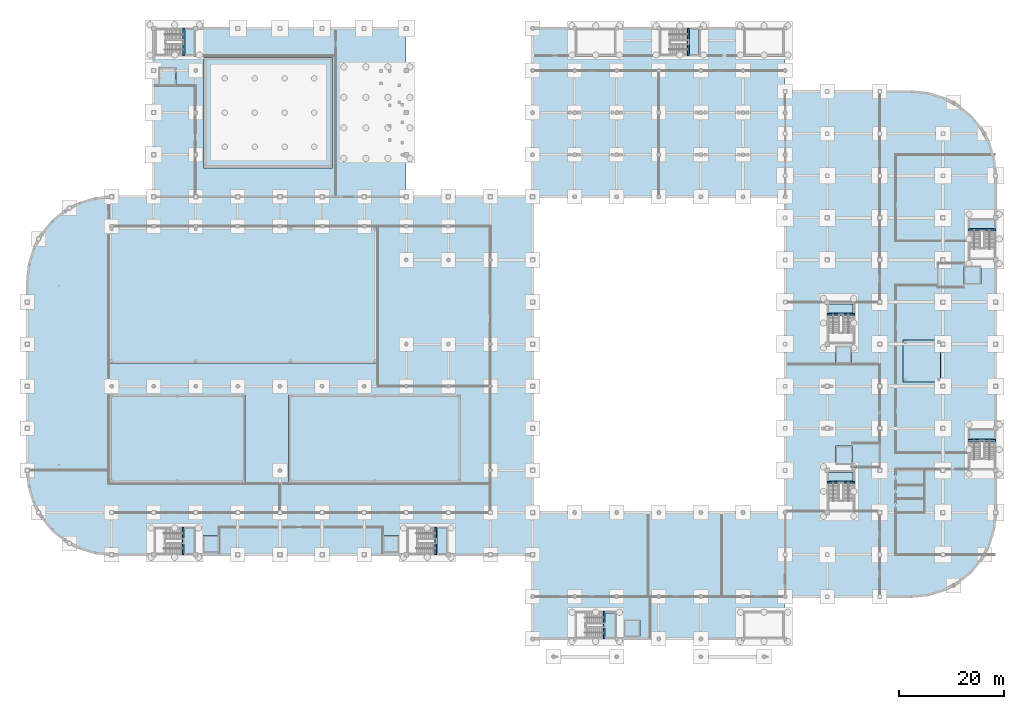
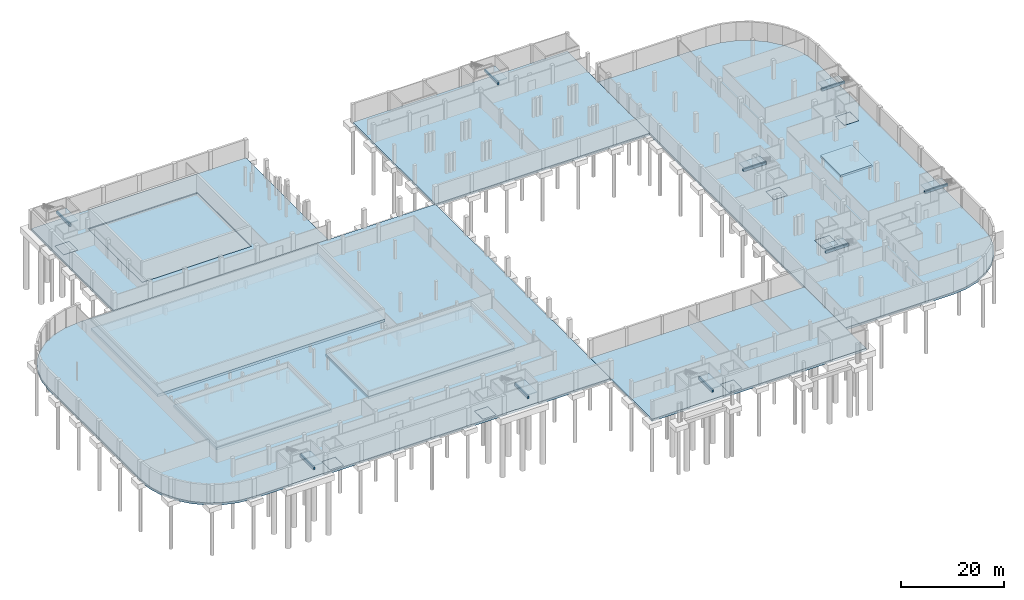
# One storey, part 17 of 29: 26 slabs, 9 beams, 9 elements without a shape of their own.
"""IFC4 building model written with IfcOpenShell, lengths in metres."""

from ifc_helpers import new_model, si_unit, direction, frame, origin, origin_2d, place, context, subcontext, project, spatial, polyline, rectangle, outline, extrude, material, layer, layer_set, material_profile, profile_set, type_object, element, aggregate, save


model = new_model("IFC4")

# Units and contexts
model_context = context("Model", 3, precision=1e-05, world=origin(), true_north=direction((0.0, 1.0)))
body_context = subcontext(model_context, "Body", "Model", "MODEL_VIEW")
ifc_project = project(units=[si_unit("LENGTHUNIT", "METRE"), si_unit("AREAUNIT", "SQUARE_METRE"), si_unit("VOLUMEUNIT", "CUBIC_METRE"), si_unit("PLANEANGLEUNIT", "RADIAN"), si_unit("MASSUNIT", "GRAM", prefix="KILO")], contexts=[model_context])

# Site, building, storey
site_placement = place(None, origin())
site = spatial("IfcSite", under=ifc_project, at=site_placement, CompositionType="ELEMENT")
building_placement = place(site_placement, origin())
building = spatial("IfcBuilding", under=site, at=building_placement, Name="Drelvana Railside Aquatics Centre", CompositionType="ELEMENT")
storey_placement = place(building_placement, frame((0.0, 0.0, -4.800048828125)))
storey = spatial("IfcBuildingStorey", under=building, at=storey_placement, Name="B1", CompositionType="ELEMENT", Elevation=-4.800048828125)

# Beams
ifc_material_1 = material(Name="Concrete C40/50", Category="concrete")
ifc_material_profile = material_profile(ifc_material_1, rectangle(XDim=0.35009765625, YDim=0.550048828125, at=origin_2d()), Name="RC 350x550")
ifc_profile_set = profile_set([ifc_material_profile], Name="Concrete C40/50")
beam_type = type_object("IfcBeamType", Name="STR-BM-BM-01-RC-350x550", PredefinedType="BEAM", material=ifc_profile_set)
for number, where, z_axis, x_axis, name in (
    (1, (29.590087890625, 16.0, 1.925048828125), (0.0, 1.0, 0.0), (-1.0, 0.0, 0.0), "Stair ST-01 B1 mid-landing beam"),
    (2, (77.590087890625, 16.0, 1.925048828125), (0.0, 1.0, 0.0), (-1.0, 0.0, 0.0), "Stair ST-02 B1 mid-landing beam"),
    (3, (29.739990234375, 110.800048828125, 1.925048828125), (0.0, 1.0, 0.0), (-1.0, 0.0, 0.0), "Stair ST-03 B1 mid-landing beam"),
    (4, (109.590087890625, 0.0, 1.925048828125), (0.0, 1.0, 0.0), (-1.0, 0.0, 0.0), "Stair ST-04 B1 mid-landing beam"),
    (5, (125.590087890625, 110.800048828125, 1.925048828125), (0.0, 1.0, 0.0), (-1.0, 0.0, 0.0), "Stair ST-05 B1 mid-landing beam"),
    (6, (152.0, 29.77001953125, 1.925048828125), (1.0, 0.0, 0.0), (0.0, 1.0, 0.0), "Stair ST-06 B1 mid-landing beam"),
    (7, (178.800048828125, 77.7099609375, 1.925048828125), (1.0, 0.0, 0.0), (0.0, 1.0, 0.0), "Stair ST-07 B1 mid-landing beam"),
    (8, (152.0, 61.7099609375, 1.925048828125), (1.0, 0.0, 0.0), (0.0, 1.0, 0.0), "Stair ST-08 B1 mid-landing beam"),
    (9, (178.800048828125, 37.7099609375, 1.925048828125), (1.0, 0.0, 0.0), (0.0, 1.0, 0.0), "Stair ST-09 B1 mid-landing beam"),
):
    element("IfcBeam", number, at=place(storey_placement, frame(where, z_axis=z_axis, x_axis=x_axis)), inside=storey, type_object=beam_type, Name=name, PredefinedType="BEAM", context=body_context, shape_type="SweptSolid", body=[
        extrude(rectangle(XDim=0.35009765625, YDim=0.550048828125, at=origin_2d()), origin(), (0.0, 0.0, 1.0), 5.199951171875),
    ])

# Slabs
ifc_material_2 = material(Name="Waterproof concrete C40/50", Category="concrete")
ifc_layer_1 = layer(ifc_material_2, 0.550048828125, Name="Waterproof concrete C40/50")
ifc_layer_set_1 = layer_set([ifc_layer_1], Name="Waterproof concrete C40/50")
slab_type_1 = type_object("IfcSlabType", Name="SL-B1-550", PredefinedType="BASESLAB", material=ifc_layer_set_1)
slab_1_placement = place(storey_placement, frame((0.0, 0.0, -0.550048828125)))
element("IfcSlab", 10, at=slab_1_placement, inside=storey, type_object=slab_type_1, Name="Pool Hall basement base slab", PredefinedType="BASESLAB", context=body_context, shape_type="SweptSolid", body=[
    extrude(outline(polyline([(0.0, 32.0), (0.307373046875, 28.878662109375), (1.218017578125, 25.876953125), (2.696533203125, 23.11083984375), (4.686279296875, 20.686279296875), (7.11083984375, 18.696533203125), (9.876953125, 17.218017578125), (12.878662109375, 16.307373046875), (16.0, 16.0), (96.0, 16.0), (96.0, 84.0), (16.0, 84.0), (12.878662109375, 83.692626953125), (9.876953125, 82.781982421875), (7.11083984375, 81.303466796875), (4.686279296875, 79.313720703125), (2.696533203125, 76.88916015625), (1.218017578125, 74.123046875), (0.307373046875, 71.121337890625), (0.0, 68.0), (0.0, 32.0)]), holes=[polyline([(33.39501953125, 16.39501953125), (36.405029296875, 16.39501953125), (36.405029296875, 19.60498046875), (33.39501953125, 19.60498046875), (33.39501953125, 16.39501953125)]), polyline([(67.594970703125, 16.39501953125), (70.60498046875, 16.39501953125), (70.60498046875, 19.60498046875), (67.594970703125, 19.60498046875), (67.594970703125, 16.39501953125)])]), origin(), (0.0, 0.0, 1.0), 0.550048828125),
])
slab_2_placement = place(storey_placement, frame((0.0, 0.0, -0.550048828125)))
element("IfcSlab", 11, at=slab_2_placement, inside=storey, type_object=slab_type_1, Name="Diving Hall basement slab", PredefinedType="BASESLAB", context=body_context, shape_type="SweptSolid", body=[
    extrude(outline(polyline([(24.0, 84.0), (72.0, 84.0), (72.0, 116.0), (24.0, 116.0), (24.0, 84.0)]), holes=[polyline([(33.5, 89.5), (58.0, 89.5), (58.0, 110.5), (33.5, 110.5), (33.5, 89.5)]), polyline([(24.9951171875, 105.195068359375), (28.205078125, 105.195068359375), (28.205078125, 108.60498046875), (24.9951171875, 108.60498046875), (24.9951171875, 105.195068359375)])]), origin(), (0.0, 0.0, 1.0), 0.550048828125),
])
slab_3_placement = place(storey_placement, frame((0.0, 0.0, -0.550048828125)))
element("IfcSlab", 12, at=slab_3_placement, inside=storey, type_object=slab_type_1, Name="Entrance Foyer basement slab", PredefinedType="BASESLAB", context=body_context, shape_type="SweptSolid", body=[
    extrude(outline(polyline([(96.0, 0.0), (144.0, 0.0), (144.0, 24.0), (96.0, 24.0), (96.0, 0.0)]), holes=[polyline([(113.39501953125, 0.39501953125), (116.405029296875, 0.39501953125), (116.405029296875, 3.60498046875), (113.39501953125, 3.60498046875), (113.39501953125, 0.39501953125)])]), origin(), (0.0, 0.0, 1.0), 0.550048828125),
])
slab_4_placement = place(storey_placement, frame((0.0, 0.0, -0.550048828125)))
element("IfcSlab", 13, at=slab_4_placement, inside=storey, type_object=slab_type_1, Name="Changing Pavilion basement slab", PredefinedType="BASESLAB", context=body_context, shape_type="SweptSolid", body=[
    extrude(outline(polyline([(96.0, 84.0), (144.0, 84.0), (144.0, 116.0), (96.0, 116.0), (96.0, 84.0)])), origin(), (0.0, 0.0, 1.0), 0.550048828125),
])
slab_5_placement = place(storey_placement, frame((0.0, 0.0, -0.550048828125)))
element("IfcSlab", 14, at=slab_5_placement, inside=storey, type_object=slab_type_1, Name="Wellness Wing basement slab", PredefinedType="BASESLAB", context=body_context, shape_type="SweptSolid", body=[
    extrude(outline(polyline([(144.0, 8.0), (168.0, 8.0), (171.121337890625, 8.307373046875), (174.123046875, 9.218017578125), (176.88916015625, 10.696533203125), (179.313720703125, 12.686279296875), (181.303466796875, 15.11083984375), (182.781982421875, 17.876953125), (183.692626953125, 20.878662109375), (184.0, 24.0), (184.0, 88.0), (183.692626953125, 91.121337890625), (182.781982421875, 94.123046875), (181.303466796875, 96.88916015625), (179.313720703125, 99.313720703125), (176.88916015625, 101.303466796875), (174.123046875, 102.781982421875), (171.121337890625, 103.692626953125), (168.0, 104.0), (144.0, 104.0), (144.0, 8.0)]), holes=[polyline([(153.594970703125, 33.195068359375), (156.804931640625, 33.195068359375), (156.804931640625, 36.60498046875), (153.594970703125, 36.60498046875), (153.594970703125, 33.195068359375)]), polyline([(177.9951171875, 67.39501953125), (181.205078125, 67.39501953125), (181.205078125, 70.804931640625), (177.9951171875, 70.804931640625), (177.9951171875, 67.39501953125)]), polyline([(153.594970703125, 52.39501953125), (156.60498046875, 52.39501953125), (156.60498046875, 55.60498046875), (153.594970703125, 55.60498046875), (153.594970703125, 52.39501953125)])]), origin(), (0.0, 0.0, 1.0), 0.550048828125),
])

# Stair, slab
stair_type = type_object("IfcStairType", Name="ST-CORE-B1", PredefinedType="HALF_TURN_STAIR", material=ifc_material_1)
stair_1_placement = place(storey_placement, origin())
stair_1 = element("IfcStair", 15, at=stair_1_placement, inside=storey, type_object=stair_type, Name="Exit stair ST-01 (B1 to L00)", PredefinedType="HALF_TURN_STAIR")
ifc_layer_2 = layer(ifc_material_1, 0.199951171875, Name="Concrete C40/50")
ifc_layer_set_2 = layer_set([ifc_layer_2], Name="Concrete C40/50")
slab_type_2 = type_object("IfcSlabType", Name="SL-LAND-200", PredefinedType="LANDING", material=ifc_layer_set_2)
slab_6_placement = place(storey_placement, frame((0.0, 0.0, 2.199951171875)))
slab_6 = element("IfcSlab", 16, at=slab_6_placement, type_object=slab_type_2, Name="ST-B1 landing 1", PredefinedType="LANDING", context=body_context, shape_type="SweptSolid", body=[
    extrude(outline(polyline([(29.409912109375, 16.25), (31.64990234375, 16.25), (31.64990234375, 20.949951171875), (29.409912109375, 20.949951171875), (29.409912109375, 16.25)])), origin(), (0.0, 0.0, 1.0), 0.2001953125),
])
aggregate(stair_1, [slab_6])

stair_2_placement = place(storey_placement, origin())
stair_2 = element("IfcStair", 17, at=stair_2_placement, inside=storey, type_object=stair_type, Name="Exit stair ST-02 (B1 to L00)", PredefinedType="HALF_TURN_STAIR")
slab_7_placement = place(storey_placement, frame((0.0, 0.0, 2.199951171875)))
slab_7 = element("IfcSlab", 18, at=slab_7_placement, type_object=slab_type_2, Name="ST-B1 landing 1", PredefinedType="LANDING", context=body_context, shape_type="SweptSolid", body=[
    extrude(outline(polyline([(77.409912109375, 16.25), (79.64990234375, 16.25), (79.64990234375, 20.949951171875), (77.409912109375, 20.949951171875), (77.409912109375, 16.25)])), origin(), (0.0, 0.0, 1.0), 0.2001953125),
])
aggregate(stair_2, [slab_7])

stair_3_placement = place(storey_placement, origin())
stair_3 = element("IfcStair", 19, at=stair_3_placement, inside=storey, type_object=stair_type, Name="Exit stair ST-03 (B1 to L00)", PredefinedType="HALF_TURN_STAIR")
slab_8_placement = place(storey_placement, frame((0.0, 0.0, 2.199951171875)))
slab_8 = element("IfcSlab", 20, at=slab_8_placement, type_object=slab_type_2, Name="ST-B1 landing 1", PredefinedType="LANDING", context=body_context, shape_type="SweptSolid", body=[
    extrude(outline(polyline([(29.56005859375, 111.050048828125), (31.64990234375, 111.050048828125), (31.64990234375, 115.75), (29.56005859375, 115.75), (29.56005859375, 111.050048828125)])), origin(), (0.0, 0.0, 1.0), 0.2001953125),
])
aggregate(stair_3, [slab_8])

stair_4_placement = place(storey_placement, origin())
stair_4 = element("IfcStair", 21, at=stair_4_placement, inside=storey, type_object=stair_type, Name="Exit stair ST-04 (B1 to L00)", PredefinedType="HALF_TURN_STAIR")
slab_9_placement = place(storey_placement, frame((0.0, 0.0, 2.199951171875)))
slab_9 = element("IfcSlab", 22, at=slab_9_placement, type_object=slab_type_2, Name="ST-B1 landing 1", PredefinedType="LANDING", context=body_context, shape_type="SweptSolid", body=[
    extrude(outline(polyline([(109.409912109375, 0.25), (111.64990234375, 0.25), (111.64990234375, 4.949951171875), (109.409912109375, 4.949951171875), (109.409912109375, 0.25)])), origin(), (0.0, 0.0, 1.0), 0.2001953125),
])
aggregate(stair_4, [slab_9])

stair_5_placement = place(storey_placement, origin())
stair_5 = element("IfcStair", 23, at=stair_5_placement, inside=storey, type_object=stair_type, Name="Exit stair ST-05 (B1 to L00)", PredefinedType="HALF_TURN_STAIR")
slab_10_placement = place(storey_placement, frame((0.0, 0.0, 2.199951171875)))
slab_10 = element("IfcSlab", 24, at=slab_10_placement, type_object=slab_type_2, Name="ST-B1 landing 1", PredefinedType="LANDING", context=body_context, shape_type="SweptSolid", body=[
    extrude(outline(polyline([(125.409912109375, 111.050048828125), (127.64990234375, 111.050048828125), (127.64990234375, 115.75), (125.409912109375, 115.75), (125.409912109375, 111.050048828125)])), origin(), (0.0, 0.0, 1.0), 0.2001953125),
])
aggregate(stair_5, [slab_10])

stair_6_placement = place(storey_placement, origin())
stair_6 = element("IfcStair", 25, at=stair_6_placement, inside=storey, type_object=stair_type, Name="Exit stair ST-06 (B1 to L00)", PredefinedType="HALF_TURN_STAIR")
slab_11_placement = place(storey_placement, frame((0.0, 0.0, 2.199951171875)))
slab_11 = element("IfcSlab", 26, at=slab_11_placement, type_object=slab_type_2, Name="ST-B1 landing 1", PredefinedType="LANDING", context=body_context, shape_type="SweptSolid", body=[
    extrude(outline(polyline([(152.25, 29.590087890625), (156.949951171875, 29.590087890625), (156.949951171875, 31.64990234375), (152.25, 31.64990234375), (152.25, 29.590087890625)])), origin(), (0.0, 0.0, 1.0), 0.2001953125),
])
aggregate(stair_6, [slab_11])

stair_7_placement = place(storey_placement, origin())
stair_7 = element("IfcStair", 27, at=stair_7_placement, inside=storey, type_object=stair_type, Name="Exit stair ST-07 (B1 to L00)", PredefinedType="HALF_TURN_STAIR")
slab_12_placement = place(storey_placement, frame((0.0, 0.0, 2.199951171875)))
slab_12 = element("IfcSlab", 28, at=slab_12_placement, type_object=slab_type_2, Name="ST-B1 landing 1", PredefinedType="LANDING", context=body_context, shape_type="SweptSolid", body=[
    extrude(outline(polyline([(179.050048828125, 77.530029296875), (183.75, 77.530029296875), (183.75, 79.590087890625), (179.050048828125, 79.590087890625), (179.050048828125, 77.530029296875)])), origin(), (0.0, 0.0, 1.0), 0.2001953125),
])
aggregate(stair_7, [slab_12])

stair_8_placement = place(storey_placement, origin())
stair_8 = element("IfcStair", 29, at=stair_8_placement, inside=storey, type_object=stair_type, Name="Exit stair ST-08 (B1 to L00)", PredefinedType="HALF_TURN_STAIR")
slab_13_placement = place(storey_placement, frame((0.0, 0.0, 2.199951171875)))
slab_13 = element("IfcSlab", 30, at=slab_13_placement, type_object=slab_type_2, Name="ST-B1 landing 1", PredefinedType="LANDING", context=body_context, shape_type="SweptSolid", body=[
    extrude(outline(polyline([(152.25, 61.530029296875), (156.949951171875, 61.530029296875), (156.949951171875, 63.64990234375), (152.25, 63.64990234375), (152.25, 61.530029296875)])), origin(), (0.0, 0.0, 1.0), 0.2001953125),
])
aggregate(stair_8, [slab_13])

stair_9_placement = place(storey_placement, origin())
stair_9 = element("IfcStair", 31, at=stair_9_placement, inside=storey, type_object=stair_type, Name="Exit stair ST-09 (B1 to L00)", PredefinedType="HALF_TURN_STAIR")
slab_14_placement = place(storey_placement, frame((0.0, 0.0, 2.199951171875)))
slab_14 = element("IfcSlab", 32, at=slab_14_placement, type_object=slab_type_2, Name="ST-B1 landing 1", PredefinedType="LANDING", context=body_context, shape_type="SweptSolid", body=[
    extrude(outline(polyline([(179.050048828125, 37.530029296875), (183.75, 37.530029296875), (183.75, 39.64990234375), (179.050048828125, 39.64990234375), (179.050048828125, 37.530029296875)])), origin(), (0.0, 0.0, 1.0), 0.2001953125),
])
aggregate(stair_9, [slab_14])

# Slabs
ifc_layer_3 = layer(ifc_material_2, 0.5, Name="Waterproof concrete C40/50")
ifc_layer_set_3 = layer_set([ifc_layer_3], Name="Waterproof concrete C40/50")
slab_type_3 = type_object("IfcSlabType", Name="SL-TK-500", PredefinedType="BASESLAB", material=ifc_layer_set_3)
slab_15_placement = place(storey_placement, frame((0.0, 0.0, 2.949951171875)))
element("IfcSlab", 33, at=slab_15_placement, inside=storey, type_object=slab_type_3, Name="Hydrotherapy Pool tank base slab", PredefinedType="BASESLAB", context=body_context, shape_type="SweptSolid", body=[
    extrude(outline(polyline([(166.449951171875, 48.85009765625), (173.550048828125, 48.85009765625), (173.550048828125, 56.75), (166.449951171875, 56.75), (166.449951171875, 48.85009765625)])), origin(), (0.0, 0.0, 1.0), 0.5),
])
slab_16_placement = place(storey_placement, frame((0.0, 0.0, -0.5)))
element("IfcSlab", 34, at=slab_16_placement, inside=storey, type_object=slab_type_3, Name="Lift LP-01 pit base slab", PredefinedType="BASESLAB", context=body_context, shape_type="SweptSolid", body=[
    extrude(outline(polyline([(33.39990234375, 16.39990234375), (36.39990234375, 16.39990234375), (36.39990234375, 19.60009765625), (33.39990234375, 19.60009765625), (33.39990234375, 16.39990234375)])), origin(), (0.0, 0.0, 1.0), 0.5),
])
slab_17_placement = place(storey_placement, frame((0.0, 0.0, -0.5)))
element("IfcSlab", 35, at=slab_17_placement, inside=storey, type_object=slab_type_3, Name="Lift LP-02 pit base slab", PredefinedType="BASESLAB", context=body_context, shape_type="SweptSolid", body=[
    extrude(outline(polyline([(67.60009765625, 16.39990234375), (70.60009765625, 16.39990234375), (70.60009765625, 19.60009765625), (67.60009765625, 19.60009765625), (67.60009765625, 16.39990234375)])), origin(), (0.0, 0.0, 1.0), 0.5),
])
slab_18_placement = place(storey_placement, frame((0.0, 0.0, -0.5)))
element("IfcSlab", 36, at=slab_18_placement, inside=storey, type_object=slab_type_3, Name="Lift LG-01 pit base slab", PredefinedType="BASESLAB", context=body_context, shape_type="SweptSolid", body=[
    extrude(outline(polyline([(25.0, 105.199951171875), (28.199951171875, 105.199951171875), (28.199951171875, 108.60009765625), (25.0, 108.60009765625), (25.0, 105.199951171875)])), origin(), (0.0, 0.0, 1.0), 0.5),
])
slab_19_placement = place(storey_placement, frame((0.0, 0.0, -0.5)))
element("IfcSlab", 37, at=slab_19_placement, inside=storey, type_object=slab_type_3, Name="Lift LP-03 pit base slab", PredefinedType="BASESLAB", context=body_context, shape_type="SweptSolid", body=[
    extrude(outline(polyline([(113.39990234375, 0.39990234375), (116.39990234375, 0.39990234375), (116.39990234375, 3.60009765625), (113.39990234375, 3.60009765625), (113.39990234375, 0.39990234375)])), origin(), (0.0, 0.0, 1.0), 0.5),
])
slab_20_placement = place(storey_placement, frame((0.0, 0.0, -0.5)))
element("IfcSlab", 38, at=slab_20_placement, inside=storey, type_object=slab_type_3, Name="Lift FL-01 pit base slab", PredefinedType="BASESLAB", context=body_context, shape_type="SweptSolid", body=[
    extrude(outline(polyline([(153.60009765625, 33.199951171875), (156.800048828125, 33.199951171875), (156.800048828125, 36.60009765625), (153.60009765625, 36.60009765625), (153.60009765625, 33.199951171875)])), origin(), (0.0, 0.0, 1.0), 0.5),
])
slab_21_placement = place(storey_placement, frame((0.0, 0.0, -0.5)))
element("IfcSlab", 39, at=slab_21_placement, inside=storey, type_object=slab_type_3, Name="Lift FL-02 pit base slab", PredefinedType="BASESLAB", context=body_context, shape_type="SweptSolid", body=[
    extrude(outline(polyline([(178.0, 67.39990234375), (181.199951171875, 67.39990234375), (181.199951171875, 70.800048828125), (178.0, 70.800048828125), (178.0, 67.39990234375)])), origin(), (0.0, 0.0, 1.0), 0.5),
])
slab_22_placement = place(storey_placement, frame((0.0, 0.0, -0.5)))
element("IfcSlab", 40, at=slab_22_placement, inside=storey, type_object=slab_type_3, Name="Lift LP-04 pit base slab", PredefinedType="BASESLAB", context=body_context, shape_type="SweptSolid", body=[
    extrude(outline(polyline([(153.60009765625, 52.39990234375), (156.60009765625, 52.39990234375), (156.60009765625, 55.60009765625), (153.60009765625, 55.60009765625), (153.60009765625, 52.39990234375)])), origin(), (0.0, 0.0, 1.0), 0.5),
])
ifc_layer_4 = layer(ifc_material_2, 0.580078125, Name="Waterproof concrete C40/50")
ifc_layer_set_4 = layer_set([ifc_layer_4], Name="Waterproof concrete C40/50")
slab_type_4 = type_object("IfcSlabType", Name="SL-TK-580", PredefinedType="BASESLAB", material=ifc_layer_set_4)
slab_23_placement = place(storey_placement, frame((0.0, 0.0, 2.820068359375)))
element("IfcSlab", 41, at=slab_23_placement, inside=storey, type_object=slab_type_4, Name="Training Pool tank base slab", PredefinedType="BASESLAB", context=body_context, shape_type="SweptSolid", body=[
    extrude(outline(polyline([(15.64990234375, 29.64990234375), (41.35009765625, 29.64990234375), (41.35009765625, 46.35009765625), (15.64990234375, 46.35009765625), (15.64990234375, 29.64990234375)])), origin(), (0.0, 0.0, 1.0), 0.580078125),
])
slab_24_placement = place(storey_placement, frame((0.0, 0.0, 3.02001953125)))
element("IfcSlab", 42, at=slab_24_placement, inside=storey, type_object=slab_type_4, Name="Leisure Pool tank base slab", PredefinedType="BASESLAB", context=body_context, shape_type="SweptSolid", body=[
    extrude(outline(polyline([(49.64990234375, 29.64990234375), (82.35009765625, 29.64990234375), (82.35009765625, 46.35009765625), (49.64990234375, 46.35009765625), (49.64990234375, 29.64990234375)])), origin(), (0.0, 0.0, 1.0), 0.580078125),
])
ifc_layer_5 = layer(ifc_material_2, 0.64990234375, Name="Waterproof concrete C40/50")
ifc_layer_set_5 = layer_set([ifc_layer_5], Name="Waterproof concrete C40/50")
slab_type_5 = type_object("IfcSlabType", Name="SL-TK-650", PredefinedType="BASESLAB", material=ifc_layer_set_5)
slab_25_placement = place(storey_placement, frame((0.0, 0.0, 1.650146484375)))
element("IfcSlab", 43, at=slab_25_placement, inside=storey, type_object=slab_type_5, Name="Competition Pool tank base slab", PredefinedType="BASESLAB", context=body_context, shape_type="SweptSolid", body=[
    extrude(outline(polyline([(15.580078125, 52.3798828125), (66.419921875, 52.3798828125), (66.419921875, 78.219970703125), (15.580078125, 78.219970703125), (15.580078125, 52.3798828125)])), origin(), (0.0, 0.0, 1.0), 0.64990234375),
])
ifc_layer_6 = layer(ifc_material_2, 0.75, Name="Waterproof concrete C40/50")
ifc_layer_set_6 = layer_set([ifc_layer_6], Name="Waterproof concrete C40/50")
slab_type_6 = type_object("IfcSlabType", Name="SL-TK-750", PredefinedType="BASESLAB", material=ifc_layer_set_6)
slab_26_placement = place(storey_placement, frame((0.0, 0.0, -0.949951171875)))
element("IfcSlab", 44, at=slab_26_placement, inside=storey, type_object=slab_type_6, Name="Diving Pool tank base slab", PredefinedType="BASESLAB", context=body_context, shape_type="SweptSolid", body=[
    extrude(outline(polyline([(33.5, 89.5), (58.0, 89.5), (58.0, 110.5), (33.5, 110.5), (33.5, 89.5)])), origin(), (0.0, 0.0, 1.0), 0.75),
])

save(model, "model.ifc")
